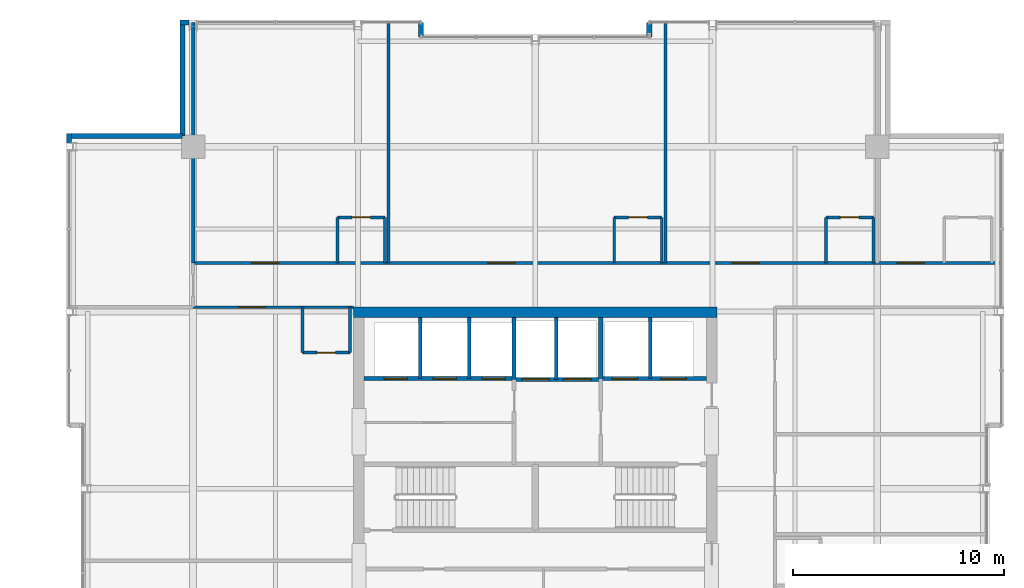
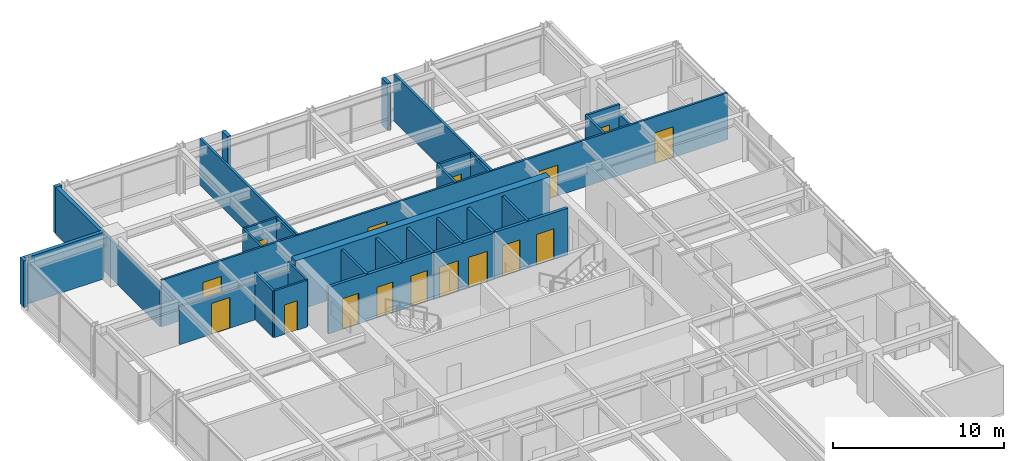
# One storey, part 28 of 32: 33 walls, 16 doors, 16 openings.
"""IFC4 building model written with IfcOpenShell, lengths in metres."""

from ifc_helpers import new_model, si_unit, direction, frame, frame_2d, origin, place, context, subcontext, project, spatial, rectangle, extrude, material, layer, layer_set, type_object, element, fill, save


model = new_model("IFC4")

# Units and contexts
model_context = context("Model", 3, precision=1e-05, world=origin(), true_north=direction((0.0, 1.0)))
body_context = subcontext(model_context, "Body", "Model", "MODEL_VIEW")
ifc_project = project(units=[si_unit("LENGTHUNIT", "METRE"), si_unit("AREAUNIT", "SQUARE_METRE"), si_unit("VOLUMEUNIT", "CUBIC_METRE"), si_unit("PLANEANGLEUNIT", "RADIAN"), si_unit("MASSUNIT", "GRAM", prefix="KILO")], contexts=[model_context])

# Site, building, storey
site_placement = place(None, origin())
site = spatial("IfcSite", under=ifc_project, at=site_placement, CompositionType="ELEMENT")
building_placement = place(site_placement, origin())
building = spatial("IfcBuilding", under=site, at=building_placement, Name="Drelvath Grand Hotel", CompositionType="ELEMENT")
storey_placement = place(building_placement, frame((0.0, 0.0, 226.699951171875)))
storey = spatial("IfcBuildingStorey", under=building, at=storey_placement, Name="L59", CompositionType="ELEMENT", Elevation=226.699951171875)

# Wall, openings, doors
ifc_material_1 = material(Name="Concrete C40/50", Category="concrete")
ifc_layer_1 = layer(ifc_material_1, 0.199951171875)
ifc_layer_set_1 = layer_set([ifc_layer_1], Name="Concrete C40/50")
wall_type_1 = type_object("IfcWallType", Name="Core Hoistway Fire Wall 200", PredefinedType="SOLIDWALL", material=ifc_layer_set_1)
wall_1_placement = place(storey_placement, frame((3.10009765625, 32.219970703125, 0.0), z_axis=(0.0, 0.0, 1.0), x_axis=(1.0, 0.0, 0.0)))
wall_1 = element("IfcWall", 1, at=wall_1_placement, inside=storey, type_object=wall_type_1, Name="L59 FSAE Hoistway Front Wall", PredefinedType="SOLIDWALL", context=body_context, shape_type="SweptSolid", body=[
    extrude(rectangle(XDim=5.0, YDim=0.199951171875, at=frame_2d((2.5, 0.0))), origin(), (0.0, 0.0, 1.0), 3.340087890625),
])
opening_1_placement = place(wall_1_placement, frame((0.550048828125, 0.0, 0.0)))
opening_1 = element("IfcOpeningElement", 2, at=opening_1_placement, cuts=wall_1, Name="Opening LD-FSAE-1", PredefinedType="OPENING", context=body_context, shape_type="SweptSolid", body=[
    extrude(rectangle(XDim=1.199951171875, YDim=2.199951171875, at=frame_2d((0.60009765625, 1.10009765625))), frame((0.0, 0.10986328125, 0.0), z_axis=(0.0, -1.0, 0.0), x_axis=(1.0, 0.0, 0.0)), (0.0, 0.0, 1.0), 0.219970703125),
])
opening_2_placement = place(wall_1_placement, frame((2.85009765625, 0.0, 0.0)))
opening_2 = element("IfcOpeningElement", 3, at=opening_2_placement, cuts=wall_1, Name="Opening LD-FSAE-2", PredefinedType="OPENING", context=body_context, shape_type="SweptSolid", body=[
    extrude(rectangle(XDim=1.199951171875, YDim=2.199951171875, at=frame_2d((0.60009765625, 1.10009765625))), frame((0.0, 0.10986328125, 0.0), z_axis=(0.0, -1.0, 0.0), x_axis=(1.0, 0.0, 0.0)), (0.0, 0.0, 1.0), 0.219970703125),
])
ifc_material_2 = material(Name="Stainless Steel S355", Category="steel")
door_type_1 = type_object("IfcDoorType", Name="FSAE Lift Sliding Landing Door 1200x2200", OperationType="NOTDEFINED", PredefinedType="DOOR", material=ifc_material_2)
door_1_placement = place(opening_1_placement, origin())
door_1 = element("IfcDoor", 4, at=door_1_placement, inside=storey, type_object=door_type_1, Name="L59 Lift FSAE-1 Landing Door", OperationType="SLIDING_TO_LEFT", OverallHeight=2.199951171875, OverallWidth=1.199951171875, PredefinedType="DOOR", context=body_context, shape_type="SweptSolid", body=[
    extrude(rectangle(XDim=1.199951171875, YDim=2.199951171875, at=frame_2d((0.60009765625, 1.10009765625))), frame((0.0, 0.02490234375, 0.0), z_axis=(0.0, -1.0, 0.0), x_axis=(1.0, 0.0, 0.0)), (0.0, 0.0, 1.0), 0.050048828125),
])
fill(opening_1, door_1)
door_2_placement = place(opening_2_placement, origin())
door_2 = element("IfcDoor", 5, at=door_2_placement, inside=storey, type_object=door_type_1, Name="L59 Lift FSAE-2 Landing Door", OperationType="SLIDING_TO_LEFT", OverallHeight=2.199951171875, OverallWidth=1.199951171875, PredefinedType="DOOR", context=body_context, shape_type="SweptSolid", body=[
    extrude(rectangle(XDim=1.199951171875, YDim=2.199951171875, at=frame_2d((0.60009765625, 1.10009765625))), frame((0.0, 0.02490234375, 0.0), z_axis=(0.0, -1.0, 0.0), x_axis=(1.0, 0.0, 0.0)), (0.0, 0.0, 1.0), 0.050048828125),
])
fill(opening_2, door_2)

# Wall
wall_2_placement = place(storey_placement, frame((3.10009765625, 32.219970703125, 0.0), z_axis=(0.0, 0.0, 1.0), x_axis=(0.0, 1.0, 0.0)))
element("IfcWall", 6, at=wall_2_placement, inside=storey, type_object=wall_type_1, Name="L59 FSAE Hoistway West Wall", PredefinedType="SOLIDWALL", context=body_context, shape_type="SweptSolid", body=[
    extrude(rectangle(XDim=2.880126953125, YDim=0.199951171875, at=frame_2d((1.43994140625, 0.0))), origin(), (0.0, 0.0, 1.0), 3.340087890625),
])

# Wall, openings, doors
wall_3_placement = place(storey_placement, frame((-1.0, 32.179931640625, 0.0), z_axis=(0.0, 0.0, 1.0), x_axis=(1.0, 0.0, 0.0)))
wall_3 = element("IfcWall", 7, at=wall_3_placement, inside=storey, type_object=wall_type_1, Name="L59 Service Lift Hoistway Wall", PredefinedType="SOLIDWALL", context=body_context, shape_type="SweptSolid", body=[
    extrude(rectangle(XDim=4.10009765625, YDim=0.199951171875, at=frame_2d((2.050048828125, 0.0))), origin(), (0.0, 0.0, 1.0), 3.340087890625),
])
opening_3_placement = place(wall_3_placement, frame((0.3701171875, 0.0, 0.0)))
opening_3 = element("IfcOpeningElement", 8, at=opening_3_placement, cuts=wall_3, Name="Opening LD-SV-2", PredefinedType="OPENING", context=body_context, shape_type="SweptSolid", body=[
    extrude(rectangle(XDim=1.300048828125, YDim=2.199951171875, at=frame_2d((0.64990234375, 1.10009765625))), frame((0.0, 0.10986328125, 0.0), z_axis=(0.0, -1.0, 0.0), x_axis=(1.0, 0.0, 0.0)), (0.0, 0.0, 1.0), 0.219970703125),
])
opening_4_placement = place(wall_3_placement, frame((2.330078125, 0.0, 0.0)))
opening_4 = element("IfcOpeningElement", 9, at=opening_4_placement, cuts=wall_3, Name="Opening LD-SV-1", PredefinedType="OPENING", context=body_context, shape_type="SweptSolid", body=[
    extrude(rectangle(XDim=1.300048828125, YDim=2.199951171875, at=frame_2d((0.64990234375, 1.10009765625))), frame((0.0, 0.10986328125, 0.0), z_axis=(0.0, -1.0, 0.0), x_axis=(1.0, 0.0, 0.0)), (0.0, 0.0, 1.0), 0.219970703125),
])
door_type_2 = type_object("IfcDoorType", Name="Service Lift Sliding Landing Door 1300x2200", OperationType="NOTDEFINED", PredefinedType="DOOR", material=ifc_material_2)
door_3_placement = place(opening_3_placement, origin())
door_3 = element("IfcDoor", 10, at=door_3_placement, inside=storey, type_object=door_type_2, Name="L59 Lift SV-2 Landing Door", OperationType="SLIDING_TO_LEFT", OverallHeight=2.199951171875, OverallWidth=1.300048828125, PredefinedType="DOOR", context=body_context, shape_type="SweptSolid", body=[
    extrude(rectangle(XDim=1.300048828125, YDim=2.199951171875, at=frame_2d((0.64990234375, 1.10009765625))), frame((0.0, 0.02490234375, 0.0), z_axis=(0.0, -1.0, 0.0), x_axis=(1.0, 0.0, 0.0)), (0.0, 0.0, 1.0), 0.050048828125),
])
fill(opening_3, door_3)
door_4_placement = place(opening_4_placement, origin())
door_4 = element("IfcDoor", 11, at=door_4_placement, inside=storey, type_object=door_type_2, Name="L59 Lift SV-1 Landing Door", OperationType="SLIDING_TO_LEFT", OverallHeight=2.199951171875, OverallWidth=1.300048828125, PredefinedType="DOOR", context=body_context, shape_type="SweptSolid", body=[
    extrude(rectangle(XDim=1.300048828125, YDim=2.199951171875, at=frame_2d((0.64990234375, 1.10009765625))), frame((0.0, 0.02490234375, 0.0), z_axis=(0.0, -1.0, 0.0), x_axis=(1.0, 0.0, 0.0)), (0.0, 0.0, 1.0), 0.050048828125),
])
fill(opening_4, door_4)

# Wall
wall_4_placement = place(storey_placement, frame((-1.0, 32.179931640625, 0.0), z_axis=(0.0, 0.0, 1.0), x_axis=(0.0, 1.0, 0.0)))
element("IfcWall", 12, at=wall_4_placement, inside=storey, type_object=wall_type_1, Name="L59 Service Lift West Wall", PredefinedType="SOLIDWALL", context=body_context, shape_type="SweptSolid", body=[
    extrude(rectangle(XDim=2.920166015625, YDim=0.199951171875, at=frame_2d((1.4599609375, 0.0))), origin(), (0.0, 0.0, 1.0), 3.340087890625),
])

# Wall, openings, doors
wall_5_placement = place(storey_placement, frame((-8.10009765625, 32.219970703125, 0.0), z_axis=(0.0, 0.0, 1.0), x_axis=(1.0, 0.0, 0.0)))
wall_5 = element("IfcWall", 13, at=wall_5_placement, inside=storey, type_object=wall_type_1, Name="L59 Bank 3 Hoistway Wall", PredefinedType="SOLIDWALL", context=body_context, shape_type="SweptSolid", body=[
    extrude(rectangle(XDim=7.10009765625, YDim=0.199951171875, at=frame_2d((3.550048828125, 0.0))), origin(), (0.0, 0.0, 1.0), 3.340087890625),
])
opening_5_placement = place(wall_5_placement, frame((0.949951171875, 0.0, 0.0)))
opening_5 = element("IfcOpeningElement", 14, at=opening_5_placement, cuts=wall_5, Name="Opening LD-PE-7", PredefinedType="OPENING", context=body_context, shape_type="SweptSolid", body=[
    extrude(rectangle(XDim=1.10009765625, YDim=2.199951171875, at=frame_2d((0.550048828125, 1.10009765625))), frame((0.0, 0.10986328125, 0.0), z_axis=(0.0, -1.0, 0.0), x_axis=(1.0, 0.0, 0.0)), (0.0, 0.0, 1.0), 0.219970703125),
])
opening_6_placement = place(wall_5_placement, frame((3.27001953125, 0.0, 0.0)))
opening_6 = element("IfcOpeningElement", 15, at=opening_6_placement, cuts=wall_5, Name="Opening LD-PE-8", PredefinedType="OPENING", context=body_context, shape_type="SweptSolid", body=[
    extrude(rectangle(XDim=1.10009765625, YDim=2.199951171875, at=frame_2d((0.550048828125, 1.10009765625))), frame((0.0, 0.10986328125, 0.0), z_axis=(0.0, -1.0, 0.0), x_axis=(1.0, 0.0, 0.0)), (0.0, 0.0, 1.0), 0.219970703125),
])
opening_7_placement = place(wall_5_placement, frame((5.590087890625, 0.0, 0.0)))
opening_7 = element("IfcOpeningElement", 16, at=opening_7_placement, cuts=wall_5, Name="Opening LD-PE-9", PredefinedType="OPENING", context=body_context, shape_type="SweptSolid", body=[
    extrude(rectangle(XDim=1.10009765625, YDim=2.199951171875, at=frame_2d((0.550048828125, 1.10009765625))), frame((0.0, 0.10986328125, 0.0), z_axis=(0.0, -1.0, 0.0), x_axis=(1.0, 0.0, 0.0)), (0.0, 0.0, 1.0), 0.219970703125),
])
door_type_3 = type_object("IfcDoorType", Name="Passenger Lift Sliding Landing Door 1100x2200", OperationType="NOTDEFINED", PredefinedType="DOOR", material=ifc_material_2)
door_5_placement = place(opening_5_placement, origin())
door_5 = element("IfcDoor", 17, at=door_5_placement, inside=storey, type_object=door_type_3, Name="L59 Lift PE-7 Landing Door", OperationType="SLIDING_TO_LEFT", OverallHeight=2.199951171875, OverallWidth=1.10009765625, PredefinedType="DOOR", context=body_context, shape_type="SweptSolid", body=[
    extrude(rectangle(XDim=1.10009765625, YDim=2.199951171875, at=frame_2d((0.550048828125, 1.10009765625))), frame((0.0, 0.02490234375, 0.0), z_axis=(0.0, -1.0, 0.0), x_axis=(1.0, 0.0, 0.0)), (0.0, 0.0, 1.0), 0.050048828125),
])
fill(opening_5, door_5)
door_6_placement = place(opening_6_placement, origin())
door_6 = element("IfcDoor", 18, at=door_6_placement, inside=storey, type_object=door_type_3, Name="L59 Lift PE-8 Landing Door", OperationType="SLIDING_TO_LEFT", OverallHeight=2.199951171875, OverallWidth=1.10009765625, PredefinedType="DOOR", context=body_context, shape_type="SweptSolid", body=[
    extrude(rectangle(XDim=1.10009765625, YDim=2.199951171875, at=frame_2d((0.550048828125, 1.10009765625))), frame((0.0, 0.02490234375, 0.0), z_axis=(0.0, -1.0, 0.0), x_axis=(1.0, 0.0, 0.0)), (0.0, 0.0, 1.0), 0.050048828125),
])
fill(opening_6, door_6)
door_7_placement = place(opening_7_placement, origin())
door_7 = element("IfcDoor", 19, at=door_7_placement, inside=storey, type_object=door_type_3, Name="L59 Lift PE-9 Landing Door", OperationType="SLIDING_TO_LEFT", OverallHeight=2.199951171875, OverallWidth=1.10009765625, PredefinedType="DOOR", context=body_context, shape_type="SweptSolid", body=[
    extrude(rectangle(XDim=1.10009765625, YDim=2.199951171875, at=frame_2d((0.550048828125, 1.10009765625))), frame((0.0, 0.02490234375, 0.0), z_axis=(0.0, -1.0, 0.0), x_axis=(1.0, 0.0, 0.0)), (0.0, 0.0, 1.0), 0.050048828125),
])
fill(opening_7, door_7)

# Walls
ifc_material_3 = material(Name="Gypsum Fireboard Partition")
ifc_layer_2 = layer(ifc_material_3, 0.1650390625)
ifc_layer_set_2 = layer_set([ifc_layer_2], Name="Gypsum Fireboard Partition")
wall_type_2 = type_object("IfcWallType", Name="Core Shaft Partition 165", PredefinedType="PARTITIONING", material=ifc_layer_set_2)
wall_6_placement = place(storey_placement, frame((5.449951171875, 32.219970703125, 0.0), z_axis=(0.0, 0.0, 1.0), x_axis=(0.0, 1.0, 0.0)))
element("IfcWall", 20, at=wall_6_placement, inside=storey, type_object=wall_type_2, Name="L59 FSAE Hoistway Divider", PredefinedType="PARTITIONING", context=body_context, shape_type="SweptSolid", body=[
    extrude(rectangle(XDim=2.880126953125, YDim=0.1650390625, at=frame_2d((1.43994140625, 0.0))), origin(), (0.0, 0.0, 1.0), 3.340087890625),
])
wall_7_placement = place(storey_placement, frame((1.0, 32.179931640625, 0.0), z_axis=(0.0, 0.0, 1.0), x_axis=(0.0, 1.0, 0.0)))
element("IfcWall", 21, at=wall_7_placement, inside=storey, type_object=wall_type_2, Name="L59 Service Lift Divider", PredefinedType="PARTITIONING", context=body_context, shape_type="SweptSolid", body=[
    extrude(rectangle(XDim=2.920166015625, YDim=0.1650390625, at=frame_2d((1.4599609375, 0.0))), origin(), (0.0, 0.0, 1.0), 3.340087890625),
])
for number, where, z_axis, x_axis, name in (
    (22, (-5.43994140625, 32.219970703125, 0.0), (0.0, 0.0, 1.0), (0.0, 1.0, 0.0), "L59 Lift PE-7/8 Divider"),
    (23, (-3.1201171875, 32.219970703125, 0.0), (0.0, 0.0, 1.0), (0.0, 1.0, 0.0), "L59 Lift PE-8/9 Divider"),
):
    element("IfcWall", number, at=place(storey_placement, frame(where, z_axis=z_axis, x_axis=x_axis)), inside=storey, type_object=wall_type_2, Name=name, PredefinedType="PARTITIONING", context=body_context, shape_type="SweptSolid", body=[
        extrude(rectangle(XDim=2.880126953125, YDim=0.1650390625, at=frame_2d((1.43994140625, 0.0))), origin(), (0.0, 0.0, 1.0), 3.340087890625),
    ])

# Wall, openings, doors
ifc_layer_3 = layer(ifc_material_3, 0.135009765625)
ifc_layer_set_3 = layer_set([ifc_layer_3], Name="Gypsum Fireboard Partition")
wall_type_3 = type_object("IfcWallType", Name="Corridor Fire Barrier Wall 135", PredefinedType="PARTITIONING", material=ifc_layer_set_3)
wall_8_placement = place(storey_placement, frame((-16.199951171875, 37.699951171875, 0.0), z_axis=(0.0, 0.0, 1.0), x_axis=(1.0, 0.0, 0.0)))
wall_8 = element("IfcWall", 24, at=wall_8_placement, inside=storey, type_object=wall_type_3, Name="L59 North Cross-Gallery Wall", PredefinedType="PARTITIONING", context=body_context, shape_type="SweptSolid", body=[
    extrude(rectangle(XDim=38.280029296875, YDim=0.135009765625, at=frame_2d((19.14013671875, 0.0))), origin(), (0.0, 0.0, 1.0), 3.340087890625),
])
opening_8_placement = place(wall_8_placement, frame((33.35498046875, 0.0, 0.0)))
opening_8 = element("IfcOpeningElement", 25, at=opening_8_placement, cuts=wall_8, Name="Opening D-T4G3-022", PredefinedType="OPENING", context=body_context, shape_type="SweptSolid", body=[
    extrude(rectangle(XDim=1.260009765625, YDim=2.199951171875, at=frame_2d((0.6298828125, 1.10009765625))), frame((0.0, 0.077392578125, 0.0), z_axis=(0.0, -1.0, 0.0), x_axis=(1.0, 0.0, 0.0)), (0.0, 0.0, 1.0), 0.155029296875),
])
opening_9_placement = place(wall_8_placement, frame((2.78369140625, 0.0, 0.0)))
opening_9 = element("IfcOpeningElement", 26, at=opening_9_placement, cuts=wall_8, Name="Opening D-T4G3-033", PredefinedType="OPENING", context=body_context, shape_type="SweptSolid", body=[
    extrude(rectangle(XDim=1.260009765625, YDim=2.199951171875, at=frame_2d((0.6298828125, 1.10009765625))), frame((0.0, 0.077392578125, 0.0), z_axis=(0.0, -1.0, 0.0), x_axis=(1.0, 0.0, 0.0)), (0.0, 0.0, 1.0), 0.155029296875),
])
opening_10_placement = place(wall_8_placement, frame((13.96923828125, 0.0, 0.0)))
opening_10 = element("IfcOpeningElement", 27, at=opening_10_placement, cuts=wall_8, Name="Opening D-T4G3-035", PredefinedType="OPENING", context=body_context, shape_type="SweptSolid", body=[
    extrude(rectangle(XDim=1.260009765625, YDim=2.199951171875, at=frame_2d((0.6298828125, 1.10009765625))), frame((0.0, 0.077392578125, 0.0), z_axis=(0.0, -1.0, 0.0), x_axis=(1.0, 0.0, 0.0)), (0.0, 0.0, 1.0), 0.155029296875),
])
opening_11_placement = place(wall_8_placement, frame((25.540771484375, 0.0, 0.0)))
opening_11 = element("IfcOpeningElement", 28, at=opening_11_placement, cuts=wall_8, Name="Opening D-T4G3-037", PredefinedType="OPENING", context=body_context, shape_type="SweptSolid", body=[
    extrude(rectangle(XDim=1.260009765625, YDim=2.199951171875, at=frame_2d((0.6298828125, 1.10009765625))), frame((0.0, 0.077392578125, 0.0), z_axis=(0.0, -1.0, 0.0), x_axis=(1.0, 0.0, 0.0)), (0.0, 0.0, 1.0), 0.155029296875),
])
ifc_material_4 = material(Name="Hardwood Walnut Timber", Category="wood")
door_type_4 = type_object("IfcDoorType", Name="Suite Entrance Fire Door 1260x2200", OperationType="NOTDEFINED", PredefinedType="DOOR", material=ifc_material_4)
door_8_placement = place(opening_8_placement, origin())
door_8 = element("IfcDoor", 29, at=door_8_placement, inside=storey, type_object=door_type_4, Name="L59 Diplomatic Suite Entry Door", OperationType="SINGLE_SWING_LEFT", OverallHeight=2.199951171875, OverallWidth=1.260009765625, PredefinedType="DOOR", context=body_context, shape_type="SweptSolid", body=[
    extrude(rectangle(XDim=1.260009765625, YDim=2.199951171875, at=frame_2d((0.6298828125, 1.10009765625))), frame((0.0, 0.02490234375, 0.0), z_axis=(0.0, -1.0, 0.0), x_axis=(1.0, 0.0, 0.0)), (0.0, 0.0, 1.0), 0.050048828125),
])
fill(opening_8, door_8)
door_9_placement = place(opening_9_placement, origin())
door_9 = element("IfcDoor", 30, at=door_9_placement, inside=storey, type_object=door_type_4, Name="L59 Diplomatic Suite Entry Door", OperationType="SINGLE_SWING_RIGHT", OverallHeight=2.199951171875, OverallWidth=1.260009765625, PredefinedType="DOOR", context=body_context, shape_type="SweptSolid", body=[
    extrude(rectangle(XDim=1.260009765625, YDim=2.199951171875, at=frame_2d((0.6298828125, 1.10009765625))), frame((0.0, 0.02490234375, 0.0), z_axis=(0.0, -1.0, 0.0), x_axis=(1.0, 0.0, 0.0)), (0.0, 0.0, 1.0), 0.050048828125),
])
fill(opening_9, door_9)
door_10_placement = place(opening_10_placement, origin())
door_10 = element("IfcDoor", 31, at=door_10_placement, inside=storey, type_object=door_type_4, Name="L59 Diplomatic Suite Entry Door", OperationType="SINGLE_SWING_RIGHT", OverallHeight=2.199951171875, OverallWidth=1.260009765625, PredefinedType="DOOR", context=body_context, shape_type="SweptSolid", body=[
    extrude(rectangle(XDim=1.260009765625, YDim=2.199951171875, at=frame_2d((0.6298828125, 1.10009765625))), frame((0.0, 0.02490234375, 0.0), z_axis=(0.0, -1.0, 0.0), x_axis=(1.0, 0.0, 0.0)), (0.0, 0.0, 1.0), 0.050048828125),
])
fill(opening_10, door_10)
door_11_placement = place(opening_11_placement, origin())
door_11 = element("IfcDoor", 32, at=door_11_placement, inside=storey, type_object=door_type_4, Name="L59 Diplomatic Suite Entry Door", OperationType="SINGLE_SWING_RIGHT", OverallHeight=2.199951171875, OverallWidth=1.260009765625, PredefinedType="DOOR", context=body_context, shape_type="SweptSolid", body=[
    extrude(rectangle(XDim=1.260009765625, YDim=2.199951171875, at=frame_2d((0.6298828125, 1.10009765625))), frame((0.0, 0.02490234375, 0.0), z_axis=(0.0, -1.0, 0.0), x_axis=(1.0, 0.0, 0.0)), (0.0, 0.0, 1.0), 0.050048828125),
])
fill(opening_11, door_11)

# Wall, opening, door
wall_9_placement = place(storey_placement, frame((-16.199951171875, 35.60009765625, 0.0), z_axis=(0.0, 0.0, 1.0), x_axis=(1.0, 0.0, 0.0)))
wall_9 = element("IfcWall", 33, at=wall_9_placement, inside=storey, type_object=wall_type_3, Name="L59 North Gallery Inner West Wall", PredefinedType="PARTITIONING", context=body_context, shape_type="SweptSolid", body=[
    extrude(rectangle(XDim=7.599853515625, YDim=0.135009765625, at=frame_2d((3.7998046875, 0.0))), origin(), (0.0, 0.0, 1.0), 2.717529296875),
])
opening_12_placement = place(wall_9_placement, frame((2.155029296875, 0.0, 0.0)))
opening_12 = element("IfcOpeningElement", 34, at=opening_12_placement, cuts=wall_9, Name="Opening D-T4G3-045", PredefinedType="OPENING", context=body_context, shape_type="SweptSolid", body=[
    extrude(rectangle(XDim=1.260009765625, YDim=2.199951171875, at=frame_2d((0.6298828125, 1.10009765625))), frame((0.0, 0.077392578125, 0.0), z_axis=(0.0, -1.0, 0.0), x_axis=(1.0, 0.0, 0.0)), (0.0, 0.0, 1.0), 0.155029296875),
])
door_12_placement = place(opening_12_placement, origin())
door_12 = element("IfcDoor", 35, at=door_12_placement, inside=storey, type_object=door_type_4, Name="L59 Diplomatic Suite Entry Door", OperationType="SINGLE_SWING_RIGHT", OverallHeight=2.199951171875, OverallWidth=1.260009765625, PredefinedType="DOOR", context=body_context, shape_type="SweptSolid", body=[
    extrude(rectangle(XDim=1.260009765625, YDim=2.199951171875, at=frame_2d((0.6298828125, 1.10009765625))), frame((0.0, 0.02490234375, 0.0), z_axis=(0.0, -1.0, 0.0), x_axis=(1.0, 0.0, 0.0)), (0.0, 0.0, 1.0), 0.050048828125),
])
fill(opening_12, door_12)

# Walls
ifc_material_5 = material(Name="Moisture-Resistant Gypsum Board")
ifc_layer_4 = layer(ifc_material_5, 0.139892578125)
ifc_layer_set_4 = layer_set([ifc_layer_4], Name="Moisture-Resistant Gypsum Board")
wall_type_4 = type_object("IfcWallType", Name="En-Suite Plumbing Wall 140", PredefinedType="PLUMBINGWALL", material=ifc_layer_set_4)
for number, where, z_axis, x_axis, name in (
    (36, (-9.372802734375, 37.699951171875, 0.0), (0.0, 0.0, 1.0), (0.0, 1.0, 0.0), "L59 En-Suite Left Wall"),
    (37, (-7.122802734375, 37.699951171875, 0.0), (0.0, 0.0, 1.0), (0.0, 1.0, 0.0), "L59 En-Suite Right Wall"),
):
    element("IfcWall", number, at=place(storey_placement, frame(where, z_axis=z_axis, x_axis=x_axis)), inside=storey, type_object=wall_type_4, Name=name, PredefinedType="PLUMBINGWALL", context=body_context, shape_type="SweptSolid", body=[
        extrude(rectangle(XDim=2.150146484375, YDim=0.139892578125, at=frame_2d((1.0751953125, 0.0))), origin(), (0.0, 0.0, 1.0), 3.340087890625),
    ])

# Wall, opening, door
wall_10_placement = place(storey_placement, frame((-9.372802734375, 39.85009765625, 0.0), z_axis=(0.0, 0.0, 1.0), x_axis=(1.0, 0.0, 0.0)))
wall_10 = element("IfcWall", 38, at=wall_10_placement, inside=storey, type_object=wall_type_4, Name="L59 En-Suite Front Wall", PredefinedType="PLUMBINGWALL", context=body_context, shape_type="SweptSolid", body=[
    extrude(rectangle(XDim=2.25, YDim=0.139892578125, at=frame_2d((1.125, 0.0))), origin(), (0.0, 0.0, 1.0), 3.340087890625),
])
opening_13_placement = place(wall_10_placement, frame((0.68505859375, 0.0, 0.0)))
opening_13 = element("IfcOpeningElement", 39, at=opening_13_placement, cuts=wall_10, Name="Opening D-T4G3-032", PredefinedType="OPENING", context=body_context, shape_type="SweptSolid", body=[
    extrude(rectangle(XDim=0.8798828125, YDim=2.10009765625, at=frame_2d((0.43994140625, 1.050048828125))), frame((0.0, 0.079833984375, 0.0), z_axis=(0.0, -1.0, 0.0), x_axis=(1.0, 0.0, 0.0)), (0.0, 0.0, 1.0), 0.159912109375),
])
door_type_5 = type_object("IfcDoorType", Name="En-Suite Bathroom Door 880x2100", OperationType="NOTDEFINED", PredefinedType="DOOR", material=ifc_material_4)
door_13_placement = place(opening_13_placement, origin())
door_13 = element("IfcDoor", 40, at=door_13_placement, inside=storey, type_object=door_type_5, Name="L59 En-Suite Bathroom Door", OperationType="SINGLE_SWING_LEFT", OverallHeight=2.10009765625, OverallWidth=0.8798828125, PredefinedType="DOOR", context=body_context, shape_type="SweptSolid", body=[
    extrude(rectangle(XDim=0.8798828125, YDim=2.10009765625, at=frame_2d((0.43994140625, 1.050048828125))), frame((0.0, 0.02490234375, 0.0), z_axis=(0.0, -1.0, 0.0), x_axis=(1.0, 0.0, 0.0)), (0.0, 0.0, 1.0), 0.050048828125),
])
fill(opening_13, door_13)

# Walls
for number, where, z_axis, x_axis, name in (
    (41, (3.741455078125, 37.699951171875, 0.0), (0.0, 0.0, 1.0), (0.0, 1.0, 0.0), "L59 En-Suite Left Wall"),
    (42, (5.991455078125, 37.699951171875, 0.0), (0.0, 0.0, 1.0), (0.0, 1.0, 0.0), "L59 En-Suite Right Wall"),
):
    element("IfcWall", number, at=place(storey_placement, frame(where, z_axis=z_axis, x_axis=x_axis)), inside=storey, type_object=wall_type_4, Name=name, PredefinedType="PLUMBINGWALL", context=body_context, shape_type="SweptSolid", body=[
        extrude(rectangle(XDim=2.150146484375, YDim=0.139892578125, at=frame_2d((1.0751953125, 0.0))), origin(), (0.0, 0.0, 1.0), 3.340087890625),
    ])

# Wall, opening, door
wall_11_placement = place(storey_placement, frame((3.741455078125, 39.85009765625, 0.0), z_axis=(0.0, 0.0, 1.0), x_axis=(1.0, 0.0, 0.0)))
wall_11 = element("IfcWall", 43, at=wall_11_placement, inside=storey, type_object=wall_type_4, Name="L59 En-Suite Front Wall", PredefinedType="PLUMBINGWALL", context=body_context, shape_type="SweptSolid", body=[
    extrude(rectangle(XDim=2.25, YDim=0.139892578125, at=frame_2d((1.125, 0.0))), origin(), (0.0, 0.0, 1.0), 3.340087890625),
])
opening_14_placement = place(wall_11_placement, frame((0.68505859375, 0.0, 0.0)))
opening_14 = element("IfcOpeningElement", 44, at=opening_14_placement, cuts=wall_11, Name="Opening D-T4G3-034", PredefinedType="OPENING", context=body_context, shape_type="SweptSolid", body=[
    extrude(rectangle(XDim=0.8798828125, YDim=2.10009765625, at=frame_2d((0.43994140625, 1.050048828125))), frame((0.0, 0.079833984375, 0.0), z_axis=(0.0, -1.0, 0.0), x_axis=(1.0, 0.0, 0.0)), (0.0, 0.0, 1.0), 0.159912109375),
])
door_14_placement = place(opening_14_placement, origin())
door_14 = element("IfcDoor", 45, at=door_14_placement, inside=storey, type_object=door_type_5, Name="L59 En-Suite Bathroom Door", OperationType="SINGLE_SWING_LEFT", OverallHeight=2.10009765625, OverallWidth=0.8798828125, PredefinedType="DOOR", context=body_context, shape_type="SweptSolid", body=[
    extrude(rectangle(XDim=0.8798828125, YDim=2.10009765625, at=frame_2d((0.43994140625, 1.050048828125))), frame((0.0, 0.02490234375, 0.0), z_axis=(0.0, -1.0, 0.0), x_axis=(1.0, 0.0, 0.0)), (0.0, 0.0, 1.0), 0.050048828125),
])
fill(opening_14, door_14)

# Walls
wall_12_placement = place(storey_placement, frame((13.77001953125, 37.699951171875, 0.0), z_axis=(0.0, 0.0, 1.0), x_axis=(0.0, 1.0, 0.0)))
element("IfcWall", 46, at=wall_12_placement, inside=storey, type_object=wall_type_4, Name="L59 En-Suite Left Wall", PredefinedType="PLUMBINGWALL", context=body_context, shape_type="SweptSolid", body=[
    extrude(rectangle(XDim=2.150146484375, YDim=0.139892578125, at=frame_2d((1.0751953125, 0.0))), origin(), (0.0, 0.0, 1.0), 3.340087890625),
])
wall_13_placement = place(storey_placement, frame((16.02001953125, 37.699951171875, 0.0), z_axis=(0.0, 0.0, 1.0), x_axis=(0.0, 1.0, 0.0)))
element("IfcWall", 47, at=wall_13_placement, inside=storey, type_object=wall_type_4, Name="L59 En-Suite Right Wall", PredefinedType="PLUMBINGWALL", context=body_context, shape_type="SweptSolid", body=[
    extrude(rectangle(XDim=2.150146484375, YDim=0.139892578125, at=frame_2d((1.0751953125, 0.0))), origin(), (0.0, 0.0, 1.0), 2.7138671875),
])

# Wall, opening, door
wall_14_placement = place(storey_placement, frame((13.77001953125, 39.85009765625, 0.0), z_axis=(0.0, 0.0, 1.0), x_axis=(1.0, 0.0, 0.0)))
wall_14 = element("IfcWall", 48, at=wall_14_placement, inside=storey, type_object=wall_type_4, Name="L59 En-Suite Front Wall", PredefinedType="PLUMBINGWALL", context=body_context, shape_type="SweptSolid", body=[
    extrude(rectangle(XDim=2.25, YDim=0.139892578125, at=frame_2d((1.125, 0.0))), origin(), (0.0, 0.0, 1.0), 3.340087890625),
])
opening_15_placement = place(wall_14_placement, frame((0.68505859375, 0.0, 0.0)))
opening_15 = element("IfcOpeningElement", 49, at=opening_15_placement, cuts=wall_14, Name="Opening D-T4G3-036", PredefinedType="OPENING", context=body_context, shape_type="SweptSolid", body=[
    extrude(rectangle(XDim=0.8798828125, YDim=2.10009765625, at=frame_2d((0.43994140625, 1.050048828125))), frame((0.0, 0.079833984375, 0.0), z_axis=(0.0, -1.0, 0.0), x_axis=(1.0, 0.0, 0.0)), (0.0, 0.0, 1.0), 0.159912109375),
])
door_15_placement = place(opening_15_placement, origin())
door_15 = element("IfcDoor", 50, at=door_15_placement, inside=storey, type_object=door_type_5, Name="L59 En-Suite Bathroom Door", OperationType="SINGLE_SWING_LEFT", OverallHeight=2.10009765625, OverallWidth=0.8798828125, PredefinedType="DOOR", context=body_context, shape_type="SweptSolid", body=[
    extrude(rectangle(XDim=0.8798828125, YDim=2.10009765625, at=frame_2d((0.43994140625, 1.050048828125))), frame((0.0, 0.02490234375, 0.0), z_axis=(0.0, -1.0, 0.0), x_axis=(1.0, 0.0, 0.0)), (0.0, 0.0, 1.0), 0.050048828125),
])
fill(opening_15, door_15)

# Walls
for number, where, z_axis, x_axis, name in (
    (51, (-11.030029296875, 35.60009765625, 0.0), (0.0, 0.0, 1.0), (0.0, -1.0, 0.0), "L59 En-Suite Left Wall"),
    (52, (-8.780029296875, 35.60009765625, 0.0), (0.0, 0.0, 1.0), (0.0, -1.0, 0.0), "L59 En-Suite Right Wall"),
):
    element("IfcWall", number, at=place(storey_placement, frame(where, z_axis=z_axis, x_axis=x_axis)), inside=storey, type_object=wall_type_4, Name=name, PredefinedType="PLUMBINGWALL", context=body_context, shape_type="SweptSolid", body=[
        extrude(rectangle(XDim=2.150146484375, YDim=0.139892578125, at=frame_2d((1.0751953125, 0.0))), origin(), (0.0, 0.0, 1.0), 3.340087890625),
    ])

# Wall, opening, door
wall_15_placement = place(storey_placement, frame((-11.030029296875, 33.449951171875, 0.0), z_axis=(0.0, 0.0, 1.0), x_axis=(1.0, 0.0, 0.0)))
wall_15 = element("IfcWall", 53, at=wall_15_placement, inside=storey, type_object=wall_type_4, Name="L59 En-Suite Front Wall", PredefinedType="PLUMBINGWALL", context=body_context, shape_type="SweptSolid", body=[
    extrude(rectangle(XDim=2.25, YDim=0.139892578125, at=frame_2d((1.125, 0.0))), origin(), (0.0, 0.0, 1.0), 3.340087890625),
])
opening_16_placement = place(wall_15_placement, frame((0.68505859375, 0.0, 0.0)))
opening_16 = element("IfcOpeningElement", 54, at=opening_16_placement, cuts=wall_15, Name="Opening D-T4G3-044", PredefinedType="OPENING", context=body_context, shape_type="SweptSolid", body=[
    extrude(rectangle(XDim=0.8798828125, YDim=2.10009765625, at=frame_2d((0.43994140625, 1.050048828125))), frame((0.0, 0.079833984375, 0.0), z_axis=(0.0, -1.0, 0.0), x_axis=(1.0, 0.0, 0.0)), (0.0, 0.0, 1.0), 0.159912109375),
])
door_16_placement = place(opening_16_placement, origin())
door_16 = element("IfcDoor", 55, at=door_16_placement, inside=storey, type_object=door_type_5, Name="L59 En-Suite Bathroom Door", OperationType="SINGLE_SWING_LEFT", OverallHeight=2.10009765625, OverallWidth=0.8798828125, PredefinedType="DOOR", context=body_context, shape_type="SweptSolid", body=[
    extrude(rectangle(XDim=0.8798828125, YDim=2.10009765625, at=frame_2d((0.43994140625, 1.050048828125))), frame((0.0, 0.02490234375, 0.0), z_axis=(0.0, -1.0, 0.0), x_axis=(1.0, 0.0, 0.0)), (0.0, 0.0, 1.0), 0.050048828125),
])
fill(opening_16, door_16)

# Walls
ifc_material_6 = material(Name="Gypsum Acoustic Partition")
ifc_layer_5 = layer(ifc_material_6, 0.14990234375)
ifc_layer_set_5 = layer_set([ifc_layer_5], Name="Gypsum Acoustic Partition")
wall_type_5 = type_object("IfcWallType", Name="Guestroom Demising Wall 150", PredefinedType="PARTITIONING", material=ifc_layer_set_5)
for number, where, z_axis, x_axis, name in (
    (56, (-6.94287109375, 37.699951171875, 0.0), (0.0, 0.0, 1.0), (0.0, 1.0, 0.0), "L59 North Demising 1"),
    (57, (6.17138671875, 37.699951171875, 0.0), (0.0, 0.0, 1.0), (0.0, 1.0, 0.0), "L59 North Demising 2"),
):
    element("IfcWall", number, at=place(storey_placement, frame(where, z_axis=z_axis, x_axis=x_axis)), inside=storey, type_object=wall_type_5, Name=name, PredefinedType="PARTITIONING", context=body_context, shape_type="SweptSolid", body=[
        extrude(rectangle(XDim=11.380126953125, YDim=0.14990234375, at=frame_2d((5.68994140625, 0.0))), origin(), (0.0, 0.0, 1.0), 3.340087890625),
    ])
ifc_layer_6 = layer(ifc_material_6, 0.1650390625)
ifc_layer_set_6 = layer_set([ifc_layer_6], Name="Gypsum Acoustic Partition")
wall_type_6 = type_object("IfcWallType", Name="Suite Demising Wall 165", PredefinedType="PARTITIONING", material=ifc_layer_set_6)
wall_16_placement = place(storey_placement, frame((-16.199951171875, 37.699951171875, 0.0), z_axis=(0.0, 0.0, 1.0), x_axis=(0.0, 1.0, 0.0)))
element("IfcWall", 58, at=wall_16_placement, inside=storey, type_object=wall_type_6, Name="L59 NW Suite Wall", PredefinedType="PARTITIONING", context=body_context, shape_type="SweptSolid", body=[
    extrude(rectangle(XDim=11.380126953125, YDim=0.1650390625, at=frame_2d((5.68994140625, 0.0))), origin(), (0.0, 0.0, 1.0), 2.7138671875),
])
ifc_material_7 = material(Name="Pale-Metal Insulated Aluminium Spandrel Assembly", Category="aluminium")
ifc_layer_7 = layer(ifc_material_7, 0.239990234375)
ifc_layer_set_7 = layer_set([ifc_layer_7], Name="Pale-Metal Insulated Aluminium Spandrel Assembly")
wall_type_7 = type_object("IfcWallType", Name="Tower Insulated Metal Spandrel Closure Wall 240", PredefinedType="STANDARD", material=ifc_layer_set_7)
for number, where, z_axis, x_axis, name in (
    (59, (-22.080078125, 43.38525390625, 0.0), (0.0, 0.0, 1.0), (0.0, 1.0, 0.0), "L59 Corner Pier Spandrel Wall WN3"),
    (60, (-16.820068359375, 49.080078125, 0.0), (0.0, 0.0, 1.0), (1.0, 0.0, 0.0), "L59 Corner Pier Spandrel Wall NW1"),
):
    element("IfcWall", number, at=place(storey_placement, frame(where, z_axis=z_axis, x_axis=x_axis)), inside=storey, type_object=wall_type_7, Name=name, PredefinedType="STANDARD", context=body_context, shape_type="SweptSolid", body=[
        extrude(rectangle(XDim=0.434814453125, YDim=0.239990234375, at=frame_2d((0.21728515625, 0.0))), origin(), (0.0, 0.0, 1.0), 3.340087890625),
    ])
for number, where, z_axis, x_axis, name in (
    (61, (-21.9599609375, 43.699951171875, 0.0), (0.0, 0.0, 1.0), (1.0, 0.0, 0.0), "L59 Notched Corner Return Spandrel Wall CNW1"),
    (62, (-16.699951171875, 43.699951171875, 0.0), (0.0, 0.0, 1.0), (0.0, 1.0, 0.0), "L59 Notched Corner Return Spandrel Wall CNW2"),
):
    element("IfcWall", number, at=place(storey_placement, frame(where, z_axis=z_axis, x_axis=x_axis)), inside=storey, type_object=wall_type_7, Name=name, PredefinedType="STANDARD", context=body_context, shape_type="SweptSolid", body=[
        extrude(rectangle(XDim=5.260009765625, YDim=0.239990234375, at=frame_2d((2.6298828125, 0.0))), origin(), (0.0, 0.0, 1.0), 3.340087890625),
    ])
for number, where, z_axis, x_axis, name in (
    (63, (-5.39990234375, 49.080078125, 0.0), (0.0, 0.0, 1.0), (0.0, -1.0, 0.0), "L59 Notched Corner Return Spandrel Wall RN1"),
    (64, (5.39990234375, 48.39990234375, 0.0), (0.0, 0.0, 1.0), (0.0, 1.0, 0.0), "L59 Notched Corner Return Spandrel Wall RN2"),
):
    element("IfcWall", number, at=place(storey_placement, frame(where, z_axis=z_axis, x_axis=x_axis)), inside=storey, type_object=wall_type_7, Name=name, PredefinedType="STANDARD", context=body_context, shape_type="SweptSolid", body=[
        extrude(rectangle(XDim=0.68017578125, YDim=0.239990234375, at=frame_2d((0.340087890625, 0.0))), origin(), (0.0, 0.0, 1.0), 3.340087890625),
    ])
ifc_material_8 = material(Name="Concrete f'c 55 MPa", Category="concrete")
ifc_layer_8 = layer(ifc_material_8, 0.5)
ifc_layer_set_8 = layer_set([ifc_layer_8], Name="Concrete f'c 55 MPa")
wall_type_8 = type_object("IfcWallType", Name="Upper Core RC Shear Wall 500", PredefinedType="SHEAR", material=ifc_layer_set_8)
wall_17_placement = place(storey_placement, frame((-8.60009765625, 35.35009765625, 0.0), z_axis=(0.0, 0.0, 1.0), x_axis=(1.0, 0.0, 0.0)))
element("IfcWall", 65, at=wall_17_placement, inside=storey, type_object=wall_type_8, Name="L59 Central Core Shear Wall N", PredefinedType="SHEAR", context=body_context, shape_type="SweptSolid", body=[
    extrude(rectangle(XDim=17.2001953125, YDim=0.5, at=frame_2d((8.60009765625, 0.0))), origin(), (0.0, 0.0, 1.0), 3.60009765625),
])

save(model, "model.ifc")
